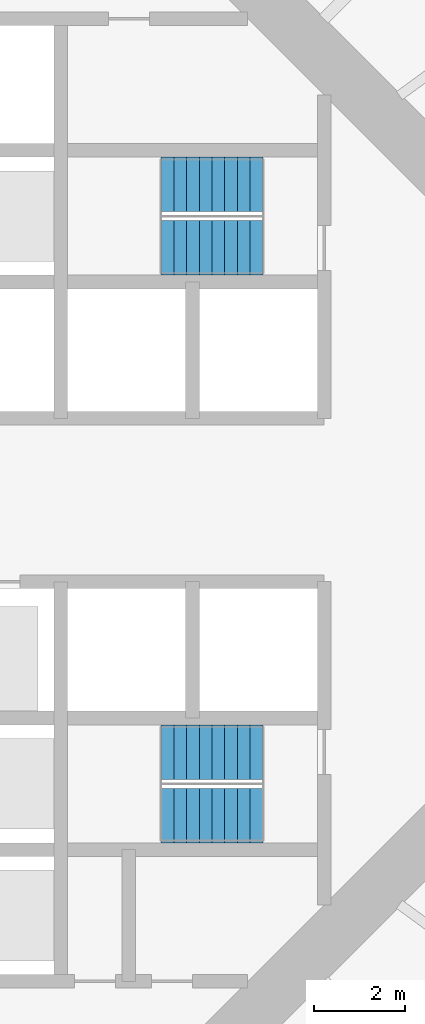
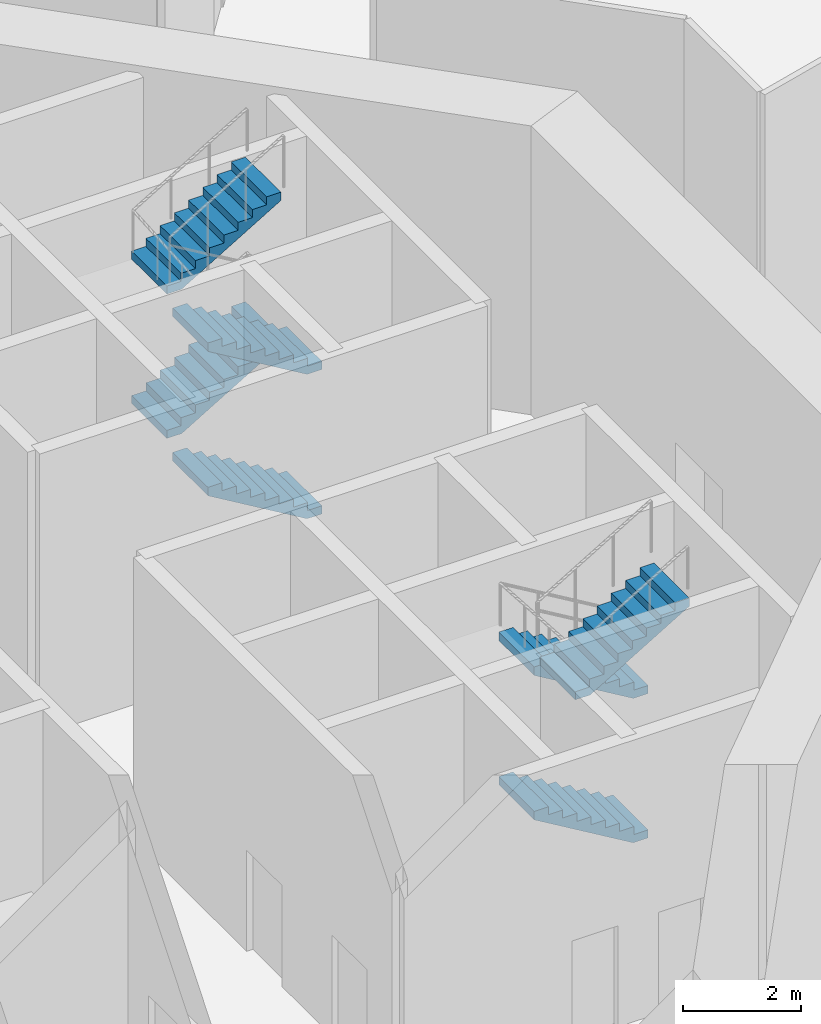
# One storey, part 6 of 14: 7 stair flights, 2 elements without a shape of their own.
"""IFC4 building model written with IfcOpenShell, lengths in metres."""

from ifc_helpers import new_model, si_unit, direction, frame, origin, place, context, subcontext, project, spatial, polyline, outline, extrude, material, type_object, element, aggregate, save


model = new_model("IFC4")

# Units and contexts
model_context = context("Model", 3, precision=1e-05, world=origin(), true_north=direction((0.0, 1.0)))
body_context = subcontext(model_context, "Body", "Model", "MODEL_VIEW")
ifc_project = project(units=[si_unit("LENGTHUNIT", "METRE"), si_unit("AREAUNIT", "SQUARE_METRE"), si_unit("VOLUMEUNIT", "CUBIC_METRE"), si_unit("PLANEANGLEUNIT", "RADIAN"), si_unit("MASSUNIT", "GRAM", prefix="KILO")], contexts=[model_context])

# Site, building, storey
site_placement = place(None, origin())
site = spatial("IfcSite", under=ifc_project, at=site_placement, CompositionType="ELEMENT")
building_placement = place(site_placement, origin())
building = spatial("IfcBuilding", under=site, at=building_placement, Name="Entoto Ring Tower", CompositionType="ELEMENT")
storey_placement = place(building_placement, frame((0.0, 0.0, 132.0)))
storey = spatial("IfcBuildingStorey", under=building, at=storey_placement, Name="L30", CompositionType="ELEMENT", Elevation=132.0)

# Stair, stair flights
ifc_material_1 = material(Name="Concrete C40/50", Category="concrete")
stair_type = type_object("IfcStairType", Name="Exit stair 1200 mm dog-leg reinforced concrete", PredefinedType="HALF_TURN_STAIR", material=ifc_material_1)
stair_1_placement = place(storey_placement, origin())
stair_1 = element("IfcStair", 1, at=stair_1_placement, inside=storey, type_object=stair_type, Name="Exit stair 1", PredefinedType="HALF_TURN_STAIR")
ifc_material_2 = material(Name="Concrete C40/50", Category="concrete")
stair_flight_type = type_object("IfcStairFlightType", Name="Stair flight 1200 mm reinforced concrete", PredefinedType="STRAIGHT", material=ifc_material_2)
stair_flight_1_placement = place(storey_placement, frame((99.25, 85.550048828125, 0.0), z_axis=(0.0, 0.0, 1.0), x_axis=(-1.0, 0.0, 0.0)))
stair_flight_1 = element("IfcStairFlight", 2, at=stair_flight_1_placement, type_object=stair_flight_type, Name="ST1 flight 1", NumberOfRisers=9, NumberOfTreads=8, PredefinedType="STRAIGHT", RiserHeight=0.166666667, TreadLength=0.28, context=body_context, shape_type="SweptSolid", body=[
    extrude(outline(polyline([(0.0, 0.0), (0.0, 0.166748046875), (0.280029296875, 0.166748046875), (0.280029296875, 0.333251953125), (0.56005859375, 0.333251953125), (0.56005859375, 0.5), (0.840087890625, 0.5), (0.840087890625, 0.666748046875), (1.1201171875, 0.666748046875), (1.1201171875, 0.833251953125), (1.39990234375, 0.833251953125), (1.39990234375, 1.0), (1.679931640625, 1.0), (1.679931640625, 1.166748046875), (1.9599609375, 1.166748046875), (1.9599609375, 1.333251953125), (2.239990234375, 1.333251953125), (2.239990234375, 1.5), (2.239990234375, 1.158935546875), (0.29296875, 0.0), (0.0, 0.0)])), frame((0.0, 0.60009765625, 0.0), z_axis=(0.0, -1.0, 0.0), x_axis=(1.0, 0.0, 0.0)), (0.0, 0.0, 1.0), 1.199951171875),
])
stair_flight_2_placement = place(storey_placement, frame((97.010009765625, 86.949951171875, 1.5), z_axis=(0.0, 0.0, 1.0), x_axis=(1.0, 0.0, 0.0)))
stair_flight_2 = element("IfcStairFlight", 3, at=stair_flight_2_placement, type_object=stair_flight_type, Name="ST1 flight 2", NumberOfRisers=9, NumberOfTreads=8, PredefinedType="STRAIGHT", RiserHeight=0.166666667, TreadLength=0.28, context=body_context, shape_type="SweptSolid", body=[
    extrude(outline(polyline([(0.0, 0.0), (0.0, 0.166748046875), (0.280029296875, 0.166748046875), (0.280029296875, 0.333251953125), (0.56005859375, 0.333251953125), (0.56005859375, 0.5), (0.840087890625, 0.5), (0.840087890625, 0.666748046875), (1.1201171875, 0.666748046875), (1.1201171875, 0.833251953125), (1.39990234375, 0.833251953125), (1.39990234375, 1.0), (1.679931640625, 1.0), (1.679931640625, 1.166748046875), (1.9599609375, 1.166748046875), (1.9599609375, 1.333251953125), (2.239990234375, 1.333251953125), (2.239990234375, 1.5), (2.239990234375, 1.158935546875), (0.29296875, 0.0), (0.0, 0.0)])), frame((0.0, 0.60009765625, 0.0), z_axis=(0.0, -1.0, 0.0), x_axis=(1.0, 0.0, 0.0)), (0.0, 0.0, 1.0), 1.199951171875),
])
stair_flight_3_placement = place(storey_placement, frame((99.25, 85.550048828125, 3.0), z_axis=(0.0, 0.0, 1.0), x_axis=(-1.0, 0.0, 0.0)))
stair_flight_3 = element("IfcStairFlight", 4, at=stair_flight_3_placement, type_object=stair_flight_type, Name="ST1 flight 3", NumberOfRisers=9, NumberOfTreads=8, PredefinedType="STRAIGHT", RiserHeight=0.166666667, TreadLength=0.28, context=body_context, shape_type="SweptSolid", body=[
    extrude(outline(polyline([(0.0, 0.0), (0.0, 0.166748046875), (0.280029296875, 0.166748046875), (0.280029296875, 0.333251953125), (0.56005859375, 0.333251953125), (0.56005859375, 0.5), (0.840087890625, 0.5), (0.840087890625, 0.666748046875), (1.1201171875, 0.666748046875), (1.1201171875, 0.833251953125), (1.39990234375, 0.833251953125), (1.39990234375, 1.0), (1.679931640625, 1.0), (1.679931640625, 1.166748046875), (1.9599609375, 1.166748046875), (1.9599609375, 1.333251953125), (2.239990234375, 1.333251953125), (2.239990234375, 1.5), (2.239990234375, 1.158935546875), (0.29296875, 0.0), (0.0, 0.0)])), frame((0.0, 0.60009765625, 0.0), z_axis=(0.0, -1.0, 0.0), x_axis=(1.0, 0.0, 0.0)), (0.0, 0.0, 1.0), 1.199951171875),
])
stair_flight_4_placement = place(storey_placement, frame((97.010009765625, 86.949951171875, 4.5), z_axis=(0.0, 0.0, 1.0), x_axis=(1.0, 0.0, 0.0)))
stair_flight_4 = element("IfcStairFlight", 5, at=stair_flight_4_placement, type_object=stair_flight_type, Name="ST1 flight 4", NumberOfRisers=9, NumberOfTreads=8, PredefinedType="STRAIGHT", RiserHeight=0.166666667, TreadLength=0.28, context=body_context, shape_type="SweptSolid", body=[
    extrude(outline(polyline([(0.0, 0.0), (0.0, 0.166748046875), (0.280029296875, 0.166748046875), (0.280029296875, 0.333251953125), (0.56005859375, 0.333251953125), (0.56005859375, 0.5), (0.840087890625, 0.5), (0.840087890625, 0.666748046875), (1.1201171875, 0.666748046875), (1.1201171875, 0.833251953125), (1.39990234375, 0.833251953125), (1.39990234375, 1.0), (1.679931640625, 1.0), (1.679931640625, 1.166748046875), (1.9599609375, 1.166748046875), (1.9599609375, 1.333251953125), (2.239990234375, 1.333251953125), (2.239990234375, 1.5), (2.239990234375, 1.158935546875), (0.29296875, 0.0), (0.0, 0.0)])), frame((0.0, 0.60009765625, 0.0), z_axis=(0.0, -1.0, 0.0), x_axis=(1.0, 0.0, 0.0)), (0.0, 0.0, 1.0), 1.199951171875),
])
aggregate(stair_1, [stair_flight_1, stair_flight_2, stair_flight_3, stair_flight_4])

stair_2_placement = place(storey_placement, origin())
stair_2 = element("IfcStair", 6, at=stair_2_placement, inside=storey, type_object=stair_type, Name="Exit stair 3", PredefinedType="HALF_TURN_STAIR")
stair_flight_5_placement = place(storey_placement, frame((99.25, 74.449951171875, 0.0), z_axis=(0.0, 0.0, 1.0), x_axis=(-1.0, 0.0, 0.0)))
stair_flight_5 = element("IfcStairFlight", 7, at=stair_flight_5_placement, type_object=stair_flight_type, Name="ST3 flight 1", NumberOfRisers=9, NumberOfTreads=8, PredefinedType="STRAIGHT", RiserHeight=0.166666667, TreadLength=0.28, context=body_context, shape_type="SweptSolid", body=[
    extrude(outline(polyline([(0.0, 0.0), (0.0, 0.166748046875), (0.280029296875, 0.166748046875), (0.280029296875, 0.333251953125), (0.56005859375, 0.333251953125), (0.56005859375, 0.5), (0.840087890625, 0.5), (0.840087890625, 0.666748046875), (1.1201171875, 0.666748046875), (1.1201171875, 0.833251953125), (1.39990234375, 0.833251953125), (1.39990234375, 1.0), (1.679931640625, 1.0), (1.679931640625, 1.166748046875), (1.9599609375, 1.166748046875), (1.9599609375, 1.333251953125), (2.239990234375, 1.333251953125), (2.239990234375, 1.5), (2.239990234375, 1.158935546875), (0.29296875, 0.0), (0.0, 0.0)])), frame((0.0, 0.60009765625, 0.0), z_axis=(0.0, -1.0, 0.0), x_axis=(1.0, 0.0, 0.0)), (0.0, 0.0, 1.0), 1.199951171875),
])
stair_flight_6_placement = place(storey_placement, frame((99.25, 74.449951171875, 3.0), z_axis=(0.0, 0.0, 1.0), x_axis=(-1.0, 0.0, 0.0)))
stair_flight_6 = element("IfcStairFlight", 8, at=stair_flight_6_placement, type_object=stair_flight_type, Name="ST3 flight 3", NumberOfRisers=9, NumberOfTreads=8, PredefinedType="STRAIGHT", RiserHeight=0.166666667, TreadLength=0.28, context=body_context, shape_type="SweptSolid", body=[
    extrude(outline(polyline([(0.0, 0.0), (0.0, 0.166748046875), (0.280029296875, 0.166748046875), (0.280029296875, 0.333251953125), (0.56005859375, 0.333251953125), (0.56005859375, 0.5), (0.840087890625, 0.5), (0.840087890625, 0.666748046875), (1.1201171875, 0.666748046875), (1.1201171875, 0.833251953125), (1.39990234375, 0.833251953125), (1.39990234375, 1.0), (1.679931640625, 1.0), (1.679931640625, 1.166748046875), (1.9599609375, 1.166748046875), (1.9599609375, 1.333251953125), (2.239990234375, 1.333251953125), (2.239990234375, 1.5), (2.239990234375, 1.158935546875), (0.29296875, 0.0), (0.0, 0.0)])), frame((0.0, 0.60009765625, 0.0), z_axis=(0.0, -1.0, 0.0), x_axis=(1.0, 0.0, 0.0)), (0.0, 0.0, 1.0), 1.199951171875),
])
stair_flight_7_placement = place(storey_placement, frame((97.010009765625, 73.050048828125, 4.5), z_axis=(0.0, 0.0, 1.0), x_axis=(1.0, 0.0, 0.0)))
stair_flight_7 = element("IfcStairFlight", 9, at=stair_flight_7_placement, type_object=stair_flight_type, Name="ST3 flight 4", NumberOfRisers=9, NumberOfTreads=8, PredefinedType="STRAIGHT", RiserHeight=0.166666667, TreadLength=0.28, context=body_context, shape_type="SweptSolid", body=[
    extrude(outline(polyline([(0.0, 0.0), (0.0, 0.166748046875), (0.280029296875, 0.166748046875), (0.280029296875, 0.333251953125), (0.56005859375, 0.333251953125), (0.56005859375, 0.5), (0.840087890625, 0.5), (0.840087890625, 0.666748046875), (1.1201171875, 0.666748046875), (1.1201171875, 0.833251953125), (1.39990234375, 0.833251953125), (1.39990234375, 1.0), (1.679931640625, 1.0), (1.679931640625, 1.166748046875), (1.9599609375, 1.166748046875), (1.9599609375, 1.333251953125), (2.239990234375, 1.333251953125), (2.239990234375, 1.5), (2.239990234375, 1.158935546875), (0.29296875, 0.0), (0.0, 0.0)])), frame((0.0, 0.60009765625, 0.0), z_axis=(0.0, -1.0, 0.0), x_axis=(1.0, 0.0, 0.0)), (0.0, 0.0, 1.0), 1.199951171875),
])
aggregate(stair_2, [stair_flight_5, stair_flight_6, stair_flight_7])

save(model, "model.ifc")
